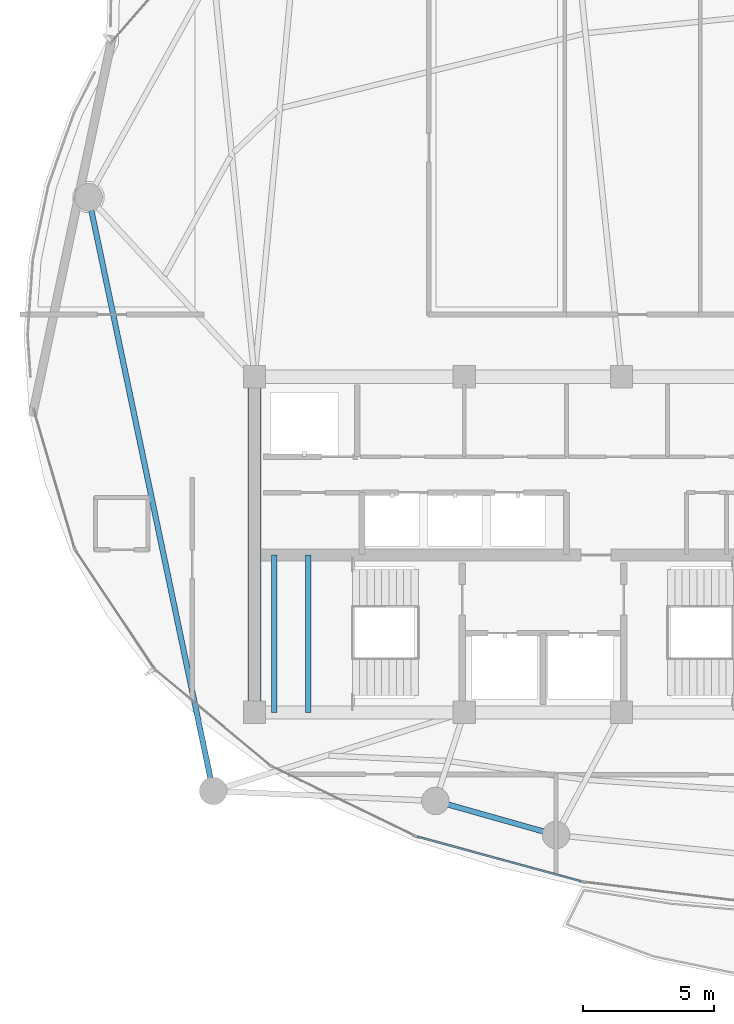
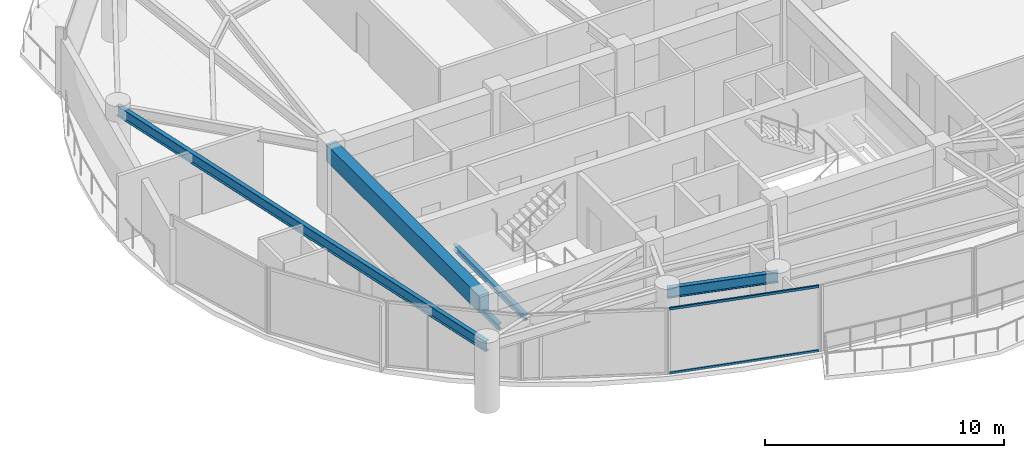
# One storey, part 4 of 28: 5 beams, 2 members, 1 element without a shape of its own.
"""IFC4 building model written with IfcOpenShell, lengths in metres."""

from ifc_helpers import new_model, si_unit, direction, frame, origin, origin_2d, place, context, subcontext, project, spatial, rectangle, hollow_rectangle, i_section, extrude, material, layer, layer_set, material_profile, profile_set, type_object, element, aggregate, save


model = new_model("IFC4")

# Units and contexts
model_context = context("Model", 3, precision=1e-05, world=origin(), true_north=direction((0.0, 1.0)))
body_context = subcontext(model_context, "Body", "Model", "MODEL_VIEW")
ifc_project = project(units=[si_unit("LENGTHUNIT", "METRE"), si_unit("AREAUNIT", "SQUARE_METRE"), si_unit("VOLUMEUNIT", "CUBIC_METRE"), si_unit("PLANEANGLEUNIT", "RADIAN"), si_unit("MASSUNIT", "GRAM", prefix="KILO")], contexts=[model_context])

# Site, building, storey
site_placement = place(None, origin())
site = spatial("IfcSite", under=ifc_project, at=site_placement, CompositionType="ELEMENT")
building_placement = place(site_placement, origin())
building = spatial("IfcBuilding", under=site, at=building_placement, Name="Kazevale Care Tower and Concert Hall", CompositionType="ELEMENT")
storey_placement = place(building_placement, frame((0.0, 0.0, 228.0)))
storey = spatial("IfcBuildingStorey", under=building, at=storey_placement, Name="L60", CompositionType="ELEMENT", Elevation=228.0)

# Curtain wall, members
ifc_material_1 = material(Name="Aluminium 6063-T6 and Low-E Glass", Category="aluminium")
ifc_layer = layer(ifc_material_1, 0.179931640625)
ifc_layer_set = layer_set([ifc_layer], Name="Aluminium 6063-T6 and Low-E Glass")
curtain_wall_type = type_object("IfcCurtainWallType", Name="Sheltered Concave Balcony Curtain Wall CW-5", PredefinedType="NOTDEFINED", material=ifc_layer_set)
curtain_wall_placement = place(storey_placement, origin())
curtain_wall = element("IfcCurtainWall", 1, at=curtain_wall_placement, inside=storey, type_object=curtain_wall_type, Name="cw:L60:f08", PredefinedType="NOTDEFINED")
ifc_material_2 = material(Name="Aluminium 6063-T6", Category="aluminium")
ifc_material_profile_1 = material_profile(ifc_material_2, hollow_rectangle(XDim=0.074951171875, YDim=0.1201171875, WallThickness=0.00390625, at=origin_2d()), Name="ALU75x120x4")
ifc_profile_set_1 = profile_set([ifc_material_profile_1], Name="Aluminium 6063-T6")
member_type = type_object("IfcMemberType", Name="CW-5 Transom ALU75x120x4", PredefinedType="USERDEFINED", material=ifc_profile_set_1)
member_1_placement = place(storey_placement, frame((34.458740234375, 17.15283203125, 0.03759765625), z_axis=(-0.964843890632, 0.262823641842, 0.0), x_axis=(-0.262823641842, -0.964843890632, 0.0)))
member_1 = element("IfcMember", 2, at=member_1_placement, type_object=member_type, Name="CW-5 transom 1.1", ObjectType="TRANSOM", PredefinedType="USERDEFINED", context=body_context, shape_type="SweptSolid", body=[
    extrude(hollow_rectangle(XDim=0.074951171875, YDim=0.1201171875, WallThickness=0.00390625, at=origin_2d()), origin(), (0.0, 0.0, 1.0), 6.469970703125),
])
member_2_placement = place(storey_placement, frame((34.458740234375, 17.15283203125, 3.322509765625), z_axis=(-0.964843890632, 0.262823641842, 0.0), x_axis=(-0.262823641842, -0.964843890632, 0.0)))
member_2 = element("IfcMember", 3, at=member_2_placement, type_object=member_type, Name="CW-5 transom 1.2", ObjectType="TRANSOM", PredefinedType="USERDEFINED", context=body_context, shape_type="SweptSolid", body=[
    extrude(hollow_rectangle(XDim=0.074951171875, YDim=0.1201171875, WallThickness=0.00390625, at=origin_2d()), origin(), (0.0, 0.0, 1.0), 6.469970703125),
])
aggregate(curtain_wall, [member_1, member_2])

# Beams
ifc_material_3 = material(Name="Concrete C60", Category="concrete")
ifc_material_profile_2 = material_profile(ifc_material_3, rectangle(XDim=0.5, YDim=0.85009765625, at=origin_2d()), Name="RC-B500x850")
ifc_profile_set_2 = profile_set([ifc_material_profile_2], Name="Concrete C60")
beam_type_1 = type_object("IfcBeamType", Name="Core Coupling Beam RC500x850", PredefinedType="LINTEL", material=ifc_profile_set_2)
beam_1_placement = place(storey_placement, frame((22.0, 36.39990234375, 2.93505859375), z_axis=(0.0, -1.0, 0.0), x_axis=(1.0, 0.0, 0.0)))
element("IfcBeam", 4, at=beam_1_placement, inside=storey, type_object=beam_type_1, Name="beam:L60:coretie:8", PredefinedType="LINTEL", context=body_context, shape_type="SweptSolid", body=[
    extrude(rectangle(XDim=0.5, YDim=0.85009765625, at=origin_2d()), origin(), (0.0, 0.0, 1.0), 12.7998046875),
])
ifc_material_4 = material(Name="Steel ASTM A572 Gr 50", Category="steel")
ifc_material_profile_3 = material_profile(ifc_material_4, i_section(OverallWidth=0.202880859375, OverallDepth=0.302978515625, WebThickness=0.007568359375, FlangeThickness=0.01318359375, at=origin_2d()), Name="W310x60")
ifc_profile_set_3 = profile_set([ifc_material_profile_3], Name="Steel ASTM A572 Gr 50")
beam_type_2 = type_object("IfcBeamType", Name="Stair & Balcony Trimmer W310x60", PredefinedType="BEAM", material=ifc_profile_set_3)
for number, where, z_axis, x_axis, name in (
    (5, (22.75, 23.60009765625, 1.448486328125), (0.0, 1.0, 0.0), (-1.0, 0.0, 0.0), "beam:L60:sttrim:ST1"),
    (6, (24.050048828125, 23.60009765625, 1.448486328125), (0.0, 1.0, 0.0), (-1.0, 0.0, 0.0), "beam:L60:sttrim:ST1b"),
):
    element("IfcBeam", number, at=place(storey_placement, frame(where, z_axis=z_axis, x_axis=x_axis)), inside=storey, type_object=beam_type_2, Name=name, PredefinedType="BEAM", context=body_context, shape_type="SweptSolid", body=[
        extrude(i_section(OverallWidth=0.202880859375, OverallDepth=0.302978515625, WebThickness=0.007568359375, FlangeThickness=0.01318359375, at=origin_2d()), origin(), (0.0, 0.0, 1.0), 6.0),
    ])
ifc_material_profile_4 = material_profile(ifc_material_4, i_section(OverallWidth=0.208984375, OverallDepth=0.532958984375, WebThickness=0.01025390625, FlangeThickness=0.015625, at=origin_2d()), Name="W530x92")
ifc_profile_set_4 = profile_set([ifc_material_profile_4], Name="Steel ASTM A572 Gr 50")
beam_type_3 = type_object("IfcBeamType", Name="Upper Ring Beam W530x92", PredefinedType="BEAM", material=ifc_profile_set_4)
beam_2_placement = place(storey_placement, frame((15.669921875, 43.25, 3.093505859375), z_axis=(0.205249071222, -0.978709772488, 0.0), x_axis=(0.978709772488, 0.205249071222, 0.0)))
element("IfcBeam", 7, at=beam_2_placement, inside=storey, type_object=beam_type_3, Name="beam:L60:ring:09", PredefinedType="BEAM", context=body_context, shape_type="SweptSolid", body=[
    extrude(i_section(OverallWidth=0.208984375, OverallDepth=0.532958984375, WebThickness=0.01025390625, FlangeThickness=0.015625, at=origin_2d()), origin(), (0.0, 0.0, 1.0), 23.142578125),
])
beam_3_placement = place(storey_placement, frame((28.89990234375, 20.219970703125, 3.093505859375), z_axis=(0.962308240836, -0.271961117846, 0.0), x_axis=(0.271961117846, 0.962308240836, 0.0)))
element("IfcBeam", 8, at=beam_3_placement, inside=storey, type_object=beam_type_3, Name="beam:L60:ring:11", PredefinedType="BEAM", context=body_context, shape_type="SweptSolid", body=[
    extrude(i_section(OverallWidth=0.208984375, OverallDepth=0.532958984375, WebThickness=0.01025390625, FlangeThickness=0.015625, at=origin_2d()), origin(), (0.0, 0.0, 1.0), 4.7802734375),
])

save(model, "model.ifc")
